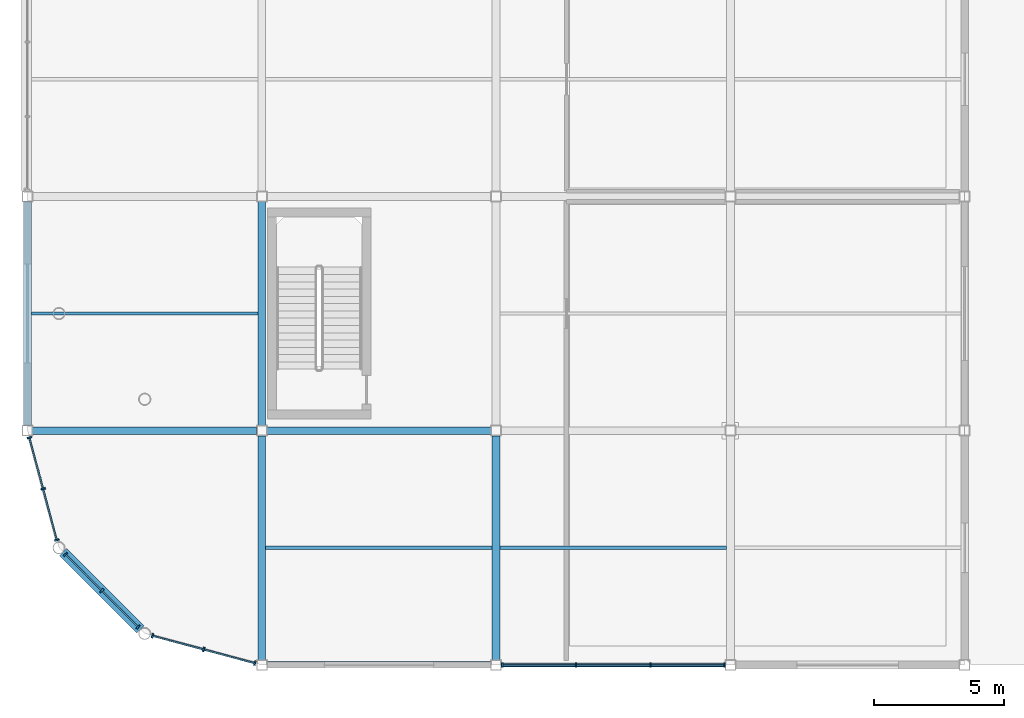
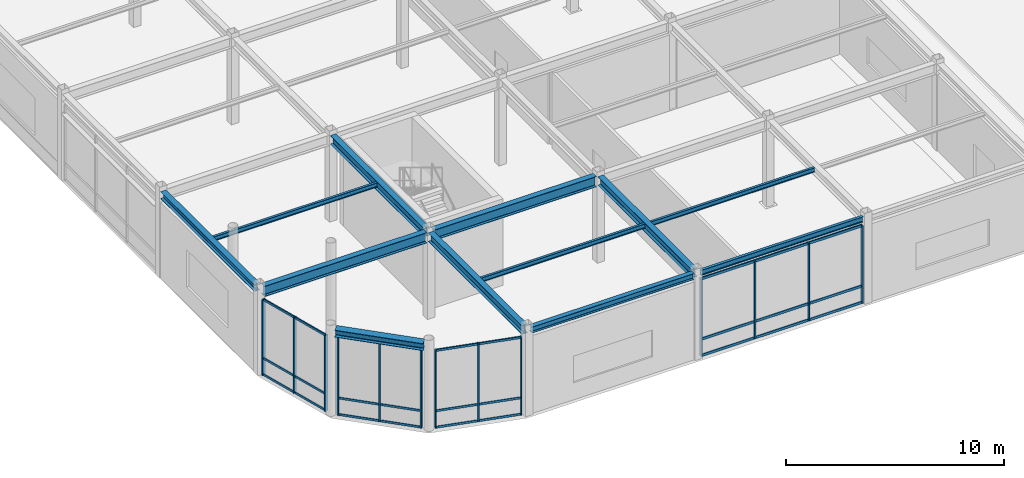
# One storey, part 27 of 123: 40 members, 12 beams, 4 elements without a shape of their own.
"""IFC4 building model written with IfcOpenShell, lengths in metres."""

from ifc_helpers import new_model, si_unit, direction, frame, origin, origin_2d, place, context, subcontext, project, spatial, rectangle, i_section, extrude, material, material_profile, profile_set, type_object, element, aggregate, save


model = new_model("IFC4")

# Units and contexts
model_context = context("Model", 3, precision=1e-05, world=origin(), true_north=direction((0.0, 1.0)))
body_context = subcontext(model_context, "Body", "Model", "MODEL_VIEW")
ifc_project = project(units=[si_unit("LENGTHUNIT", "METRE"), si_unit("AREAUNIT", "SQUARE_METRE"), si_unit("VOLUMEUNIT", "CUBIC_METRE"), si_unit("PLANEANGLEUNIT", "RADIAN"), si_unit("MASSUNIT", "GRAM", prefix="KILO")], contexts=[model_context])

# Site, building, storey
site_placement = place(None, origin())
site = spatial("IfcSite", under=ifc_project, at=site_placement, CompositionType="ELEMENT")
building_placement = place(site_placement, origin())
building = spatial("IfcBuilding", under=site, at=building_placement, Name="Suzunagisa Mobility Hub", CompositionType="ELEMENT")
storey_placement = place(building_placement, origin())
storey = spatial("IfcBuildingStorey", under=building, at=storey_placement, Name="L00", CompositionType="ELEMENT", Elevation=0.0)

# Curtain wall, members
ifc_material_1 = material(Name="Thermally Broken Anodized Aluminum and Low-E Glazing", Category="aluminium")
curtain_wall_type_1 = type_object("IfcCurtainWallType", Name="Unitised Curtain Wall CW-47 8500x4400", PredefinedType="USERDEFINED", material=ifc_material_1)
curtain_wall_1_placement = place(storey_placement, origin())
curtain_wall_1 = element("IfcCurtainWall", 1, at=curtain_wall_1_placement, inside=storey, type_object=curtain_wall_type_1, Name="L00 Unitised Curtain Wall CW-4", ObjectType="UNITISED CURTAIN WALL", PredefinedType="USERDEFINED")
ifc_material_2 = material(Name="Anodized Aluminum 6063-T6", Category="aluminium")
ifc_material_profile_1 = material_profile(ifc_material_2, rectangle(XDim=0.06494140625, YDim=0.139892578125, at=origin_2d()), Name="TRAN-65x140")
ifc_profile_set_1 = profile_set([ifc_material_profile_1], Name="Anodized Aluminum 6063-T6")
member_type_1 = type_object("IfcMemberType", Name="Curtain Wall Framing CM-01 TRAN-65x140", PredefinedType="USERDEFINED", material=ifc_profile_set_1)
member_1_placement = place(storey_placement, frame((18.262939453125, 0.0, 0.032470703125), z_axis=(1.0, 0.0, 0.0), x_axis=(0.0, 1.0, 0.0)))
member_1 = element("IfcMember", 2, at=member_1_placement, type_object=member_type_1, Name="Curtain Wall Transom 4-T1.1", ObjectType="TRANSOM", PredefinedType="USERDEFINED", context=body_context, shape_type="SweptSolid", body=[
    extrude(rectangle(XDim=0.06494140625, YDim=0.139892578125, at=origin_2d()), origin(), (0.0, 0.0, 1.0), 2.773193359375),
])
member_2_placement = place(storey_placement, frame((18.262939453125, 0.0, 0.949951171875), z_axis=(1.0, 0.0, 0.0), x_axis=(0.0, 1.0, 0.0)))
member_2 = element("IfcMember", 3, at=member_2_placement, type_object=member_type_1, Name="Curtain Wall Transom 4-T1.2", ObjectType="TRANSOM", PredefinedType="USERDEFINED", context=body_context, shape_type="SweptSolid", body=[
    extrude(rectangle(XDim=0.06494140625, YDim=0.139892578125, at=origin_2d()), origin(), (0.0, 0.0, 1.0), 2.773193359375),
])
member_3_placement = place(storey_placement, frame((18.262939453125, 0.0, 4.32958984375), z_axis=(1.0, 0.0, 0.0), x_axis=(0.0, 1.0, 0.0)))
member_3 = element("IfcMember", 4, at=member_3_placement, type_object=member_type_1, Name="Curtain Wall Transom 4-T1.3", ObjectType="TRANSOM", PredefinedType="USERDEFINED", context=body_context, shape_type="SweptSolid", body=[
    extrude(rectangle(XDim=0.06494140625, YDim=0.139892578125, at=origin_2d()), origin(), (0.0, 0.0, 1.0), 2.773193359375),
])
member_4_placement = place(storey_placement, frame((21.09716796875, 0.0, 0.032470703125), z_axis=(1.0, 0.0, 0.0), x_axis=(0.0, 1.0, 0.0)))
member_4 = element("IfcMember", 5, at=member_4_placement, type_object=member_type_1, Name="Curtain Wall Transom 4-T2.1", ObjectType="TRANSOM", PredefinedType="USERDEFINED", context=body_context, shape_type="SweptSolid", body=[
    extrude(rectangle(XDim=0.06494140625, YDim=0.139892578125, at=origin_2d()), origin(), (0.0, 0.0, 1.0), 2.8056640625),
])
member_5_placement = place(storey_placement, frame((21.09716796875, 0.0, 0.949951171875), z_axis=(1.0, 0.0, 0.0), x_axis=(0.0, 1.0, 0.0)))
member_5 = element("IfcMember", 6, at=member_5_placement, type_object=member_type_1, Name="Curtain Wall Transom 4-T2.2", ObjectType="TRANSOM", PredefinedType="USERDEFINED", context=body_context, shape_type="SweptSolid", body=[
    extrude(rectangle(XDim=0.06494140625, YDim=0.139892578125, at=origin_2d()), origin(), (0.0, 0.0, 1.0), 2.8056640625),
])
member_6_placement = place(storey_placement, frame((21.09716796875, 0.0, 4.32958984375), z_axis=(1.0, 0.0, 0.0), x_axis=(0.0, 1.0, 0.0)))
member_6 = element("IfcMember", 7, at=member_6_placement, type_object=member_type_1, Name="Curtain Wall Transom 4-T2.3", ObjectType="TRANSOM", PredefinedType="USERDEFINED", context=body_context, shape_type="SweptSolid", body=[
    extrude(rectangle(XDim=0.06494140625, YDim=0.139892578125, at=origin_2d()), origin(), (0.0, 0.0, 1.0), 2.8056640625),
])
member_7_placement = place(storey_placement, frame((23.9638671875, 0.0, 0.032470703125), z_axis=(1.0, 0.0, 0.0), x_axis=(0.0, 1.0, 0.0)))
member_7 = element("IfcMember", 8, at=member_7_placement, type_object=member_type_1, Name="Curtain Wall Transom 4-T3.1", ObjectType="TRANSOM", PredefinedType="USERDEFINED", context=body_context, shape_type="SweptSolid", body=[
    extrude(rectangle(XDim=0.06494140625, YDim=0.139892578125, at=origin_2d()), origin(), (0.0, 0.0, 1.0), 2.773193359375),
])
member_8_placement = place(storey_placement, frame((23.9638671875, 0.0, 0.949951171875), z_axis=(1.0, 0.0, 0.0), x_axis=(0.0, 1.0, 0.0)))
member_8 = element("IfcMember", 9, at=member_8_placement, type_object=member_type_1, Name="Curtain Wall Transom 4-T3.2", ObjectType="TRANSOM", PredefinedType="USERDEFINED", context=body_context, shape_type="SweptSolid", body=[
    extrude(rectangle(XDim=0.06494140625, YDim=0.139892578125, at=origin_2d()), origin(), (0.0, 0.0, 1.0), 2.773193359375),
])
member_9_placement = place(storey_placement, frame((23.9638671875, 0.0, 4.32958984375), z_axis=(1.0, 0.0, 0.0), x_axis=(0.0, 1.0, 0.0)))
member_9 = element("IfcMember", 10, at=member_9_placement, type_object=member_type_1, Name="Curtain Wall Transom 4-T3.3", ObjectType="TRANSOM", PredefinedType="USERDEFINED", context=body_context, shape_type="SweptSolid", body=[
    extrude(rectangle(XDim=0.06494140625, YDim=0.139892578125, at=origin_2d()), origin(), (0.0, 0.0, 1.0), 2.773193359375),
])

curtain_wall_type_2 = type_object("IfcCurtainWallType", Name="Unitised Curtain Wall CW-25 4250x4300", PredefinedType="USERDEFINED", material=ifc_material_1)
curtain_wall_2_placement = place(storey_placement, origin())
curtain_wall_2 = element("IfcCurtainWall", 11, at=curtain_wall_2_placement, inside=storey, type_object=curtain_wall_type_2, Name="L00 Unitised Curtain Wall CW-1", ObjectType="UNITISED CURTAIN WALL", PredefinedType="USERDEFINED")
ifc_material_profile_2 = material_profile(ifc_material_2, rectangle(XDim=0.06005859375, YDim=0.1201171875, at=origin_2d()), Name="TRAN-60x120")
ifc_profile_set_2 = profile_set([ifc_material_profile_2], Name="Anodized Aluminum 6063-T6")
member_type_2 = type_object("IfcMemberType", Name="Curtain Wall Framing CM-02 TRAN-60x120", PredefinedType="USERDEFINED", material=ifc_profile_set_2)
member_10_placement = place(storey_placement, frame((0.07958984375, 8.702392578125, 0.030029296875), z_axis=(0.258948403786, -0.96589115545, 0.0), x_axis=(0.96589115545, 0.258948403786, 0.0)))
member_10 = element("IfcMember", 12, at=member_10_placement, type_object=member_type_2, Name="Curtain Wall Transom 1-T1.1", ObjectType="TRANSOM", PredefinedType="USERDEFINED", context=body_context, shape_type="SweptSolid", body=[
    extrude(rectangle(XDim=0.06005859375, YDim=0.1201171875, at=origin_2d()), origin(), (0.0, 0.0, 1.0), 1.973388671875),
])
member_11_placement = place(storey_placement, frame((0.07958984375, 8.702392578125, 0.949951171875), z_axis=(0.258948403786, -0.96589115545, 0.0), x_axis=(0.96589115545, 0.258948403786, 0.0)))
member_11 = element("IfcMember", 13, at=member_11_placement, type_object=member_type_2, Name="Curtain Wall Transom 1-T1.2", ObjectType="TRANSOM", PredefinedType="USERDEFINED", context=body_context, shape_type="SweptSolid", body=[
    extrude(rectangle(XDim=0.06005859375, YDim=0.1201171875, at=origin_2d()), origin(), (0.0, 0.0, 1.0), 1.973388671875),
])
member_12_placement = place(storey_placement, frame((0.07958984375, 8.702392578125, 4.23193359375), z_axis=(0.258948403786, -0.96589115545, 0.0), x_axis=(0.96589115545, 0.258948403786, 0.0)))
member_12 = element("IfcMember", 14, at=member_12_placement, type_object=member_type_2, Name="Curtain Wall Transom 1-T1.3", ObjectType="TRANSOM", PredefinedType="USERDEFINED", context=body_context, shape_type="SweptSolid", body=[
    extrude(rectangle(XDim=0.06005859375, YDim=0.1201171875, at=origin_2d()), origin(), (0.0, 0.0, 1.0), 1.973388671875),
])
member_13_placement = place(storey_placement, frame((0.606201171875, 6.737548828125, 0.030029296875), z_axis=(0.258802043841, -0.965930381603, 0.0), x_axis=(0.965930381603, 0.258802043841, 0.0)))
member_13 = element("IfcMember", 15, at=member_13_placement, type_object=member_type_2, Name="Curtain Wall Transom 1-T2.1", ObjectType="TRANSOM", PredefinedType="USERDEFINED", context=body_context, shape_type="SweptSolid", body=[
    extrude(rectangle(XDim=0.06005859375, YDim=0.1201171875, at=origin_2d()), origin(), (0.0, 0.0, 1.0), 1.973388671875),
])
member_14_placement = place(storey_placement, frame((0.606201171875, 6.737548828125, 0.949951171875), z_axis=(0.258802043841, -0.965930381603, 0.0), x_axis=(0.965930381603, 0.258802043841, 0.0)))
member_14 = element("IfcMember", 16, at=member_14_placement, type_object=member_type_2, Name="Curtain Wall Transom 1-T2.2", ObjectType="TRANSOM", PredefinedType="USERDEFINED", context=body_context, shape_type="SweptSolid", body=[
    extrude(rectangle(XDim=0.06005859375, YDim=0.1201171875, at=origin_2d()), origin(), (0.0, 0.0, 1.0), 1.973388671875),
])
member_15_placement = place(storey_placement, frame((0.606201171875, 6.737548828125, 4.23193359375), z_axis=(0.258802043841, -0.965930381603, 0.0), x_axis=(0.965930381603, 0.258802043841, 0.0)))
member_15 = element("IfcMember", 17, at=member_15_placement, type_object=member_type_2, Name="Curtain Wall Transom 1-T2.3", ObjectType="TRANSOM", PredefinedType="USERDEFINED", context=body_context, shape_type="SweptSolid", body=[
    extrude(rectangle(XDim=0.06005859375, YDim=0.1201171875, at=origin_2d()), origin(), (0.0, 0.0, 1.0), 1.973388671875),
])

curtain_wall_type_3 = type_object("IfcCurtainWallType", Name="Unitised Curtain Wall CW-26 4000x4400", PredefinedType="USERDEFINED", material=ifc_material_1)
curtain_wall_3_placement = place(storey_placement, origin())
curtain_wall_3 = element("IfcCurtainWall", 18, at=curtain_wall_3_placement, inside=storey, type_object=curtain_wall_type_3, Name="L00 Unitised Curtain Wall CW-2", ObjectType="UNITISED CURTAIN WALL", PredefinedType="USERDEFINED")
member_16_placement = place(storey_placement, frame((1.47900390625, 4.226806640625, 0.030029296875), z_axis=(0.707106781187, -0.707106781187, 0.0), x_axis=(0.707106781187, 0.707106781187, 0.0)))
member_16 = element("IfcMember", 19, at=member_16_placement, type_object=member_type_2, Name="Curtain Wall Transom 2-T1.1", ObjectType="TRANSOM", PredefinedType="USERDEFINED", context=body_context, shape_type="SweptSolid", body=[
    extrude(rectangle(XDim=0.06005859375, YDim=0.1201171875, at=origin_2d()), origin(), (0.0, 0.0, 1.0), 1.912353515625),
])
member_17_placement = place(storey_placement, frame((1.47900390625, 4.226806640625, 0.949951171875), z_axis=(0.707106781187, -0.707106781187, 0.0), x_axis=(0.707106781187, 0.707106781187, 0.0)))
member_17 = element("IfcMember", 20, at=member_17_placement, type_object=member_type_2, Name="Curtain Wall Transom 2-T1.2", ObjectType="TRANSOM", PredefinedType="USERDEFINED", context=body_context, shape_type="SweptSolid", body=[
    extrude(rectangle(XDim=0.06005859375, YDim=0.1201171875, at=origin_2d()), origin(), (0.0, 0.0, 1.0), 1.912353515625),
])
member_18_placement = place(storey_placement, frame((1.47900390625, 4.226806640625, 4.419921875), z_axis=(0.707106781187, -0.707106781187, 0.0), x_axis=(0.707106781187, 0.707106781187, 0.0)))
member_18 = element("IfcMember", 21, at=member_18_placement, type_object=member_type_2, Name="Curtain Wall Transom 2-T1.3", ObjectType="TRANSOM", PredefinedType="USERDEFINED", context=body_context, shape_type="SweptSolid", body=[
    extrude(rectangle(XDim=0.06005859375, YDim=0.1201171875, at=origin_2d()), origin(), (0.0, 0.0, 1.0), 1.912353515625),
])
member_19_placement = place(storey_placement, frame((2.87451171875, 2.831298828125, 0.030029296875), z_axis=(0.707106781187, -0.707106781187, 0.0), x_axis=(0.707106781187, 0.707106781187, 0.0)))
member_19 = element("IfcMember", 22, at=member_19_placement, type_object=member_type_2, Name="Curtain Wall Transom 2-T2.1", ObjectType="TRANSOM", PredefinedType="USERDEFINED", context=body_context, shape_type="SweptSolid", body=[
    extrude(rectangle(XDim=0.06005859375, YDim=0.1201171875, at=origin_2d()), origin(), (0.0, 0.0, 1.0), 1.912353515625),
])
member_20_placement = place(storey_placement, frame((2.87451171875, 2.831298828125, 0.949951171875), z_axis=(0.707106781187, -0.707106781187, 0.0), x_axis=(0.707106781187, 0.707106781187, 0.0)))
member_20 = element("IfcMember", 23, at=member_20_placement, type_object=member_type_2, Name="Curtain Wall Transom 2-T2.2", ObjectType="TRANSOM", PredefinedType="USERDEFINED", context=body_context, shape_type="SweptSolid", body=[
    extrude(rectangle(XDim=0.06005859375, YDim=0.1201171875, at=origin_2d()), origin(), (0.0, 0.0, 1.0), 1.912353515625),
])
member_21_placement = place(storey_placement, frame((2.87451171875, 2.831298828125, 4.419921875), z_axis=(0.707106781187, -0.707106781187, 0.0), x_axis=(0.707106781187, 0.707106781187, 0.0)))
member_21 = element("IfcMember", 24, at=member_21_placement, type_object=member_type_2, Name="Curtain Wall Transom 2-T2.3", ObjectType="TRANSOM", PredefinedType="USERDEFINED", context=body_context, shape_type="SweptSolid", body=[
    extrude(rectangle(XDim=0.06005859375, YDim=0.1201171875, at=origin_2d()), origin(), (0.0, 0.0, 1.0), 1.912353515625),
])

curtain_wall_type_4 = type_object("IfcCurtainWallType", Name="Unitised Curtain Wall CW-35 4250x4400", PredefinedType="USERDEFINED", material=ifc_material_1)
curtain_wall_4_placement = place(storey_placement, origin())
curtain_wall_4 = element("IfcCurtainWall", 25, at=curtain_wall_4_placement, inside=storey, type_object=curtain_wall_type_4, Name="L00 Unitised Curtain Wall CW-3", ObjectType="UNITISED CURTAIN WALL", PredefinedType="USERDEFINED")
member_22_placement = place(storey_placement, frame((4.831298828125, 1.116943359375, 0.030029296875), z_axis=(0.965922094184, -0.258832973105, 0.0), x_axis=(0.258832973105, 0.965922094184, 0.0)))
member_22 = element("IfcMember", 26, at=member_22_placement, type_object=member_type_2, Name="Curtain Wall Transom 3-T1.1", ObjectType="TRANSOM", PredefinedType="USERDEFINED", context=body_context, shape_type="SweptSolid", body=[
    extrude(rectangle(XDim=0.06005859375, YDim=0.1201171875, at=origin_2d()), origin(), (0.0, 0.0, 1.0), 1.97314453125),
])
member_23_placement = place(storey_placement, frame((4.831298828125, 1.116943359375, 0.949951171875), z_axis=(0.965922094184, -0.258832973105, 0.0), x_axis=(0.258832973105, 0.965922094184, 0.0)))
member_23 = element("IfcMember", 27, at=member_23_placement, type_object=member_type_2, Name="Curtain Wall Transom 3-T1.2", ObjectType="TRANSOM", PredefinedType="USERDEFINED", context=body_context, shape_type="SweptSolid", body=[
    extrude(rectangle(XDim=0.06005859375, YDim=0.1201171875, at=origin_2d()), origin(), (0.0, 0.0, 1.0), 1.97314453125),
])
member_24_placement = place(storey_placement, frame((4.831298828125, 1.116943359375, 4.33203125), z_axis=(0.965922094184, -0.258832973105, 0.0), x_axis=(0.258832973105, 0.965922094184, 0.0)))
member_24 = element("IfcMember", 28, at=member_24_placement, type_object=member_type_2, Name="Curtain Wall Transom 3-T1.3", ObjectType="TRANSOM", PredefinedType="USERDEFINED", context=body_context, shape_type="SweptSolid", body=[
    extrude(rectangle(XDim=0.06005859375, YDim=0.1201171875, at=origin_2d()), origin(), (0.0, 0.0, 1.0), 1.97314453125),
])
member_25_placement = place(storey_placement, frame((6.79638671875, 0.59033203125, 0.030029296875), z_axis=(0.965930381603, -0.258802043841, 0.0), x_axis=(0.258802043841, 0.965930381603, 0.0)))
member_25 = element("IfcMember", 29, at=member_25_placement, type_object=member_type_2, Name="Curtain Wall Transom 3-T2.1", ObjectType="TRANSOM", PredefinedType="USERDEFINED", context=body_context, shape_type="SweptSolid", body=[
    extrude(rectangle(XDim=0.06005859375, YDim=0.1201171875, at=origin_2d()), origin(), (0.0, 0.0, 1.0), 1.973388671875),
])
member_26_placement = place(storey_placement, frame((6.79638671875, 0.59033203125, 0.949951171875), z_axis=(0.965930381603, -0.258802043841, 0.0), x_axis=(0.258802043841, 0.965930381603, 0.0)))
member_26 = element("IfcMember", 30, at=member_26_placement, type_object=member_type_2, Name="Curtain Wall Transom 3-T2.2", ObjectType="TRANSOM", PredefinedType="USERDEFINED", context=body_context, shape_type="SweptSolid", body=[
    extrude(rectangle(XDim=0.06005859375, YDim=0.1201171875, at=origin_2d()), origin(), (0.0, 0.0, 1.0), 1.973388671875),
])
member_27_placement = place(storey_placement, frame((6.79638671875, 0.59033203125, 4.33203125), z_axis=(0.965930381603, -0.258802043841, 0.0), x_axis=(0.258802043841, 0.965930381603, 0.0)))
member_27 = element("IfcMember", 31, at=member_27_placement, type_object=member_type_2, Name="Curtain Wall Transom 3-T2.3", ObjectType="TRANSOM", PredefinedType="USERDEFINED", context=body_context, shape_type="SweptSolid", body=[
    extrude(rectangle(XDim=0.06005859375, YDim=0.1201171875, at=origin_2d()), origin(), (0.0, 0.0, 1.0), 1.973388671875),
])

# Member
ifc_material_profile_3 = material_profile(ifc_material_2, rectangle(XDim=0.06494140625, YDim=0.179931640625, at=origin_2d()), Name="MULL-65x180")
ifc_profile_set_3 = profile_set([ifc_material_profile_3], Name="Anodized Aluminum 6063-T6")
member_type_3 = type_object("IfcMemberType", Name="Curtain Wall Framing CM-04 MULL-65x180", PredefinedType="MULLION", material=ifc_profile_set_3)
member_28_placement = place(storey_placement, frame((0.07177734375, 8.73193359375, 0.0), z_axis=(0.0, 0.0, 1.0), x_axis=(0.258814277087, -0.965927103862, 0.0)))
member_28 = element("IfcMember", 32, at=member_28_placement, type_object=member_type_3, Name="Curtain Wall Mullion 1-M1", PredefinedType="MULLION", context=body_context, shape_type="SweptSolid", body=[
    extrude(rectangle(XDim=0.06494140625, YDim=0.179931640625, at=origin_2d()), origin(), (0.0, 0.0, 1.0), 4.261962890625),
])

member_29_placement = place(storey_placement, frame((0.598388671875, 6.766845703125, 0.0), z_axis=(0.0, 0.0, 1.0), x_axis=(0.258814277087, -0.965927103862, 0.0)))
member_29 = element("IfcMember", 33, at=member_29_placement, type_object=member_type_3, Name="Curtain Wall Mullion 1-M2", PredefinedType="MULLION", context=body_context, shape_type="SweptSolid", body=[
    extrude(rectangle(XDim=0.06494140625, YDim=0.179931640625, at=origin_2d()), origin(), (0.0, 0.0, 1.0), 4.261962890625),
])

member_30_placement = place(storey_placement, frame((1.125, 4.8017578125, 0.0), z_axis=(0.0, 0.0, 1.0), x_axis=(0.258814277087, -0.965927103862, 0.0)))
member_30 = element("IfcMember", 34, at=member_30_placement, type_object=member_type_3, Name="Curtain Wall Mullion 1-M3", PredefinedType="MULLION", context=body_context, shape_type="SweptSolid", body=[
    extrude(rectangle(XDim=0.06494140625, YDim=0.179931640625, at=origin_2d()), origin(), (0.0, 0.0, 1.0), 4.261962890625),
])

aggregate(curtain_wall_2, [member_28, member_29, member_30, member_10, member_11, member_12, member_13, member_14, member_15])

member_31_placement = place(storey_placement, frame((1.45751953125, 4.248291015625, 0.0), z_axis=(0.0, 0.0, 1.0), x_axis=(0.707106781187, -0.707106781187, 0.0)))
member_31 = element("IfcMember", 35, at=member_31_placement, type_object=member_type_3, Name="Curtain Wall Mullion 2-M1", PredefinedType="MULLION", context=body_context, shape_type="SweptSolid", body=[
    extrude(rectangle(XDim=0.06494140625, YDim=0.179931640625, at=origin_2d()), origin(), (0.0, 0.0, 1.0), 4.449951171875),
])

member_32_placement = place(storey_placement, frame((2.852783203125, 2.852783203125, 0.0), z_axis=(0.0, 0.0, 1.0), x_axis=(0.707106781187, -0.707106781187, 0.0)))
member_32 = element("IfcMember", 36, at=member_32_placement, type_object=member_type_3, Name="Curtain Wall Mullion 2-M2", PredefinedType="MULLION", context=body_context, shape_type="SweptSolid", body=[
    extrude(rectangle(XDim=0.06494140625, YDim=0.179931640625, at=origin_2d()), origin(), (0.0, 0.0, 1.0), 4.449951171875),
])

member_33_placement = place(storey_placement, frame((4.248291015625, 1.45751953125, 0.0), z_axis=(0.0, 0.0, 1.0), x_axis=(0.707106781187, -0.707106781187, 0.0)))
member_33 = element("IfcMember", 37, at=member_33_placement, type_object=member_type_3, Name="Curtain Wall Mullion 2-M3", PredefinedType="MULLION", context=body_context, shape_type="SweptSolid", body=[
    extrude(rectangle(XDim=0.06494140625, YDim=0.179931640625, at=origin_2d()), origin(), (0.0, 0.0, 1.0), 4.449951171875),
])

aggregate(curtain_wall_3, [member_31, member_32, member_33, member_16, member_17, member_18, member_19, member_20, member_21])

member_34_placement = place(storey_placement, frame((4.8017578125, 1.125, 0.0), z_axis=(0.0, 0.0, 1.0), x_axis=(0.965927103862, -0.258814277087, 0.0)))
member_34 = element("IfcMember", 38, at=member_34_placement, type_object=member_type_3, Name="Curtain Wall Mullion 3-M1", PredefinedType="MULLION", context=body_context, shape_type="SweptSolid", body=[
    extrude(rectangle(XDim=0.06494140625, YDim=0.179931640625, at=origin_2d()), origin(), (0.0, 0.0, 1.0), 4.362060546875),
])

member_35_placement = place(storey_placement, frame((6.766845703125, 0.598388671875, 0.0), z_axis=(0.0, 0.0, 1.0), x_axis=(0.965927103862, -0.258814277087, 0.0)))
member_35 = element("IfcMember", 39, at=member_35_placement, type_object=member_type_3, Name="Curtain Wall Mullion 3-M2", PredefinedType="MULLION", context=body_context, shape_type="SweptSolid", body=[
    extrude(rectangle(XDim=0.06494140625, YDim=0.179931640625, at=origin_2d()), origin(), (0.0, 0.0, 1.0), 4.362060546875),
])

member_36_placement = place(storey_placement, frame((8.73193359375, 0.07177734375, 0.0), z_axis=(0.0, 0.0, 1.0), x_axis=(0.965927103862, -0.258814277087, 0.0)))
member_36 = element("IfcMember", 40, at=member_36_placement, type_object=member_type_3, Name="Curtain Wall Mullion 3-M3", PredefinedType="MULLION", context=body_context, shape_type="SweptSolid", body=[
    extrude(rectangle(XDim=0.06494140625, YDim=0.179931640625, at=origin_2d()), origin(), (0.0, 0.0, 1.0), 4.362060546875),
])

aggregate(curtain_wall_4, [member_34, member_35, member_36, member_22, member_23, member_24, member_25, member_26, member_27])

member_37_placement = place(storey_placement, frame((18.232421875, 0.0, 0.0), z_axis=(0.0, 0.0, 1.0), x_axis=(1.0, 0.0, 0.0)))
member_37 = element("IfcMember", 41, at=member_37_placement, type_object=member_type_3, Name="Curtain Wall Mullion 4-M1", PredefinedType="MULLION", context=body_context, shape_type="SweptSolid", body=[
    extrude(rectangle(XDim=0.06494140625, YDim=0.179931640625, at=origin_2d()), origin(), (0.0, 0.0, 1.0), 4.362060546875),
])

member_38_placement = place(storey_placement, frame((21.066650390625, 0.0, 0.0), z_axis=(0.0, 0.0, 1.0), x_axis=(1.0, 0.0, 0.0)))
member_38 = element("IfcMember", 42, at=member_38_placement, type_object=member_type_3, Name="Curtain Wall Mullion 4-M2", PredefinedType="MULLION", context=body_context, shape_type="SweptSolid", body=[
    extrude(rectangle(XDim=0.06494140625, YDim=0.179931640625, at=origin_2d()), origin(), (0.0, 0.0, 1.0), 4.362060546875),
])

member_39_placement = place(storey_placement, frame((23.933349609375, 0.0, 0.0), z_axis=(0.0, 0.0, 1.0), x_axis=(1.0, 0.0, 0.0)))
member_39 = element("IfcMember", 43, at=member_39_placement, type_object=member_type_3, Name="Curtain Wall Mullion 4-M3", PredefinedType="MULLION", context=body_context, shape_type="SweptSolid", body=[
    extrude(rectangle(XDim=0.06494140625, YDim=0.179931640625, at=origin_2d()), origin(), (0.0, 0.0, 1.0), 4.362060546875),
])

member_40_placement = place(storey_placement, frame((26.767578125, 0.0, 0.0), z_axis=(0.0, 0.0, 1.0), x_axis=(1.0, 0.0, 0.0)))
member_40 = element("IfcMember", 44, at=member_40_placement, type_object=member_type_3, Name="Curtain Wall Mullion 4-M4", PredefinedType="MULLION", context=body_context, shape_type="SweptSolid", body=[
    extrude(rectangle(XDim=0.06494140625, YDim=0.179931640625, at=origin_2d()), origin(), (0.0, 0.0, 1.0), 4.362060546875),
])

aggregate(curtain_wall_1, [member_37, member_38, member_39, member_40, member_1, member_2, member_3, member_4, member_5, member_6, member_7, member_8, member_9])

# Beams
ifc_material_3 = material(Name="Steel SN490B", Category="steel")
ifc_material_profile_4 = material_profile(ifc_material_3, i_section(OverallWidth=0.300048828125, OverallDepth=0.488037109375, WebThickness=0.010986328125, FlangeThickness=0.01806640625, FilletRadius=0.012939453125, at=origin_2d()), Name="H-488x300x11x18")
ifc_profile_set_4 = profile_set([ifc_material_profile_4], Name="Steel SN490B")
beam_type_1 = type_object("IfcBeamType", Name="Steel Beam BM-06 H-488x300x11x18", PredefinedType="BEAM", material=ifc_profile_set_4)
for number, where, z_axis, x_axis, name in (
    (45, (9.0, 0.196044921875, 4.60595703125), (0.0, 1.0, 0.0), (-1.0, 0.0, 0.0), "L00 Primary Girder GY-128"),
    (46, (9.0, 9.196044921875, 4.60595703125), (0.0, 1.0, 0.0), (-1.0, 0.0, 0.0), "L00 Primary Girder GY-129"),
    (47, (18.0, 0.196044921875, 4.60595703125), (0.0, 1.0, 0.0), (-1.0, 0.0, 0.0), "L00 Primary Girder GY-135"),
):
    element("IfcBeam", number, at=place(storey_placement, frame(where, z_axis=z_axis, x_axis=x_axis)), inside=storey, type_object=beam_type_1, Name=name, PredefinedType="BEAM", context=body_context, shape_type="SweptSolid", body=[
        extrude(i_section(OverallWidth=0.300048828125, OverallDepth=0.488037109375, WebThickness=0.010986328125, FlangeThickness=0.01806640625, FilletRadius=0.012939453125, at=origin_2d()), origin(), (0.0, 0.0, 1.0), 8.60791015625),
    ])
ifc_material_4 = material(Name="Steel SN400B", Category="steel")
ifc_material_profile_5 = material_profile(ifc_material_4, i_section(OverallWidth=0.14990234375, OverallDepth=0.300048828125, WebThickness=0.006591796875, FlangeThickness=0.009033203125, FilletRadius=0.008056640625, at=origin_2d()), Name="H-300x150x6.5x9")
ifc_profile_set_5 = profile_set([ifc_material_profile_5], Name="Steel SN400B")
beam_type_2 = type_object("IfcBeamType", Name="Steel Beam BM-08 H-300x150x6.5x9", PredefinedType="LINTEL", material=ifc_profile_set_5)
beam_1_placement = place(storey_placement, frame((18.196044921875, 0.0, 4.699951171875), z_axis=(1.0, 0.0, 0.0), x_axis=(0.0, 1.0, 0.0)))
element("IfcBeam", 48, at=beam_1_placement, inside=storey, type_object=beam_type_2, Name="L00 Primary Girder GX-92", PredefinedType="LINTEL", context=body_context, shape_type="SweptSolid", body=[
    extrude(i_section(OverallWidth=0.14990234375, OverallDepth=0.300048828125, WebThickness=0.006591796875, FlangeThickness=0.009033203125, FilletRadius=0.008056640625, at=origin_2d()), origin(), (0.0, 0.0, 1.0), 8.60791015625),
])
ifc_material_profile_6 = material_profile(ifc_material_3, i_section(OverallWidth=0.39990234375, OverallDepth=0.39990234375, WebThickness=0.012939453125, FlangeThickness=0.02099609375, FilletRadius=0.01611328125, at=origin_2d()), Name="H-400x400x13x21")
ifc_profile_set_6 = profile_set([ifc_material_profile_6], Name="Steel SN490B")
beam_type_3 = type_object("IfcBeamType", Name="Steel Beam BM-12 H-400x400x13x21", PredefinedType="SPANDREL", material=ifc_profile_set_6)
beam_2_placement = place(storey_placement, frame((1.367431640625, 4.33837890625, 4.64990234375), z_axis=(0.707106781187, -0.707106781187, 0.0), x_axis=(0.707106781187, 0.707106781187, 0.0)))
element("IfcBeam", 49, at=beam_2_placement, inside=storey, type_object=beam_type_3, Name="L00 Streamline Prow Spandrel 156", PredefinedType="SPANDREL", context=body_context, shape_type="SweptSolid", body=[
    extrude(i_section(OverallWidth=0.39990234375, OverallDepth=0.39990234375, WebThickness=0.012939453125, FlangeThickness=0.02099609375, FilletRadius=0.01611328125, at=origin_2d()), origin(), (0.0, 0.0, 1.0), 4.20166015625),
])
ifc_material_profile_7 = material_profile(ifc_material_3, i_section(OverallWidth=0.300048828125, OverallDepth=0.389892578125, WebThickness=0.010009765625, FlangeThickness=0.01611328125, FilletRadius=0.012939453125, at=origin_2d()), Name="H-390x300x10x16")
ifc_profile_set_7 = profile_set([ifc_material_profile_7], Name="Steel SN490B")
beam_type_4 = type_object("IfcBeamType", Name="Steel Beam BM-13 H-390x300x10x16", PredefinedType="SPANDREL", material=ifc_profile_set_7)
beam_3_placement = place(storey_placement, frame((0.0, 9.196044921875, 4.655029296875), z_axis=(0.0, 1.0, 0.0), x_axis=(-1.0, 0.0, 0.0)))
element("IfcBeam", 50, at=beam_3_placement, inside=storey, type_object=beam_type_4, Name="L00 Primary Girder GY-122", PredefinedType="SPANDREL", context=body_context, shape_type="SweptSolid", body=[
    extrude(i_section(OverallWidth=0.300048828125, OverallDepth=0.389892578125, WebThickness=0.010009765625, FlangeThickness=0.01611328125, FilletRadius=0.012939453125, at=origin_2d()), origin(), (0.0, 0.0, 1.0), 8.60791015625),
])
ifc_material_profile_8 = material_profile(ifc_material_3, i_section(OverallWidth=0.300048828125, OverallDepth=0.587890625, WebThickness=0.011962890625, FlangeThickness=0.02001953125, FilletRadius=0.012939453125, at=origin_2d()), Name="H-588x300x12x20")
ifc_profile_set_8 = profile_set([ifc_material_profile_8], Name="Steel SN490B")
beam_type_5 = type_object("IfcBeamType", Name="Steel Beam BM-16 H-588x300x12x20", PredefinedType="BEAM", material=ifc_profile_set_8)
for number, where, z_axis, x_axis, name in (
    (51, (0.196044921875, 9.0, 4.555908203125), (1.0, 0.0, 0.0), (0.0, 1.0, 0.0), "L00 Primary Girder GX-94"),
    (52, (9.196044921875, 9.0, 4.555908203125), (1.0, 0.0, 0.0), (0.0, 1.0, 0.0), "L00 Primary Girder GX-95"),
):
    element("IfcBeam", number, at=place(storey_placement, frame(where, z_axis=z_axis, x_axis=x_axis)), inside=storey, type_object=beam_type_5, Name=name, PredefinedType="BEAM", context=body_context, shape_type="SweptSolid", body=[
        extrude(i_section(OverallWidth=0.300048828125, OverallDepth=0.587890625, WebThickness=0.011962890625, FlangeThickness=0.02001953125, FilletRadius=0.012939453125, at=origin_2d()), origin(), (0.0, 0.0, 1.0), 8.60791015625),
    ])
ifc_material_profile_9 = material_profile(ifc_material_4, i_section(OverallWidth=0.125, OverallDepth=0.25, WebThickness=0.006103515625, FlangeThickness=0.009033203125, FilletRadius=0.008056640625, at=origin_2d()), Name="H-250x125x6x9")
ifc_profile_set_9 = profile_set([ifc_material_profile_9], Name="Steel SN400B")
beam_type_6 = type_object("IfcBeamType", Name="Steel Beam BM-21 H-250x125x6x9", PredefinedType="JOIST", material=ifc_profile_set_9)
for number, where, z_axis, x_axis, name in (
    (53, (0.14990234375, 13.5, 4.72509765625), (1.0, 0.0, 0.0), (0.0, 1.0, 0.0), "L00 Composite Floor Joist J-157"),
    (54, (9.14990234375, 4.5, 4.72509765625), (1.0, 0.0, 0.0), (0.0, 1.0, 0.0), "L00 Composite Floor Joist J-163"),
    (55, (18.14990234375, 4.5, 4.72509765625), (1.0, 0.0, 0.0), (0.0, 1.0, 0.0), "L00 Composite Floor Joist J-168"),
):
    element("IfcBeam", number, at=place(storey_placement, frame(where, z_axis=z_axis, x_axis=x_axis)), inside=storey, type_object=beam_type_6, Name=name, PredefinedType="JOIST", context=body_context, shape_type="SweptSolid", body=[
        extrude(i_section(OverallWidth=0.125, OverallDepth=0.25, WebThickness=0.006103515625, FlangeThickness=0.009033203125, FilletRadius=0.008056640625, at=origin_2d()), origin(), (0.0, 0.0, 1.0), 8.7001953125),
    ])
ifc_material_profile_10 = material_profile(ifc_material_4, i_section(OverallWidth=0.25, OverallDepth=0.340087890625, WebThickness=0.009033203125, FlangeThickness=0.013916015625, FilletRadius=0.010009765625, at=origin_2d()), Name="H-340x250x9x14")
ifc_profile_set_10 = profile_set([ifc_material_profile_10], Name="Steel SN400B")
beam_type_7 = type_object("IfcBeamType", Name="Steel Beam BM-23 H-340x250x9x14", PredefinedType="LINTEL", material=ifc_profile_set_10)
beam_4_placement = place(storey_placement, frame((9.196044921875, 0.0, 4.679931640625), z_axis=(1.0, 0.0, 0.0), x_axis=(0.0, 1.0, 0.0)))
element("IfcBeam", 56, at=beam_4_placement, inside=storey, type_object=beam_type_7, Name="L00 Primary Girder GX-91", PredefinedType="LINTEL", context=body_context, shape_type="SweptSolid", body=[
    extrude(i_section(OverallWidth=0.25, OverallDepth=0.340087890625, WebThickness=0.009033203125, FlangeThickness=0.013916015625, FilletRadius=0.010009765625, at=origin_2d()), origin(), (0.0, 0.0, 1.0), 8.60791015625),
])

save(model, "model.ifc")
